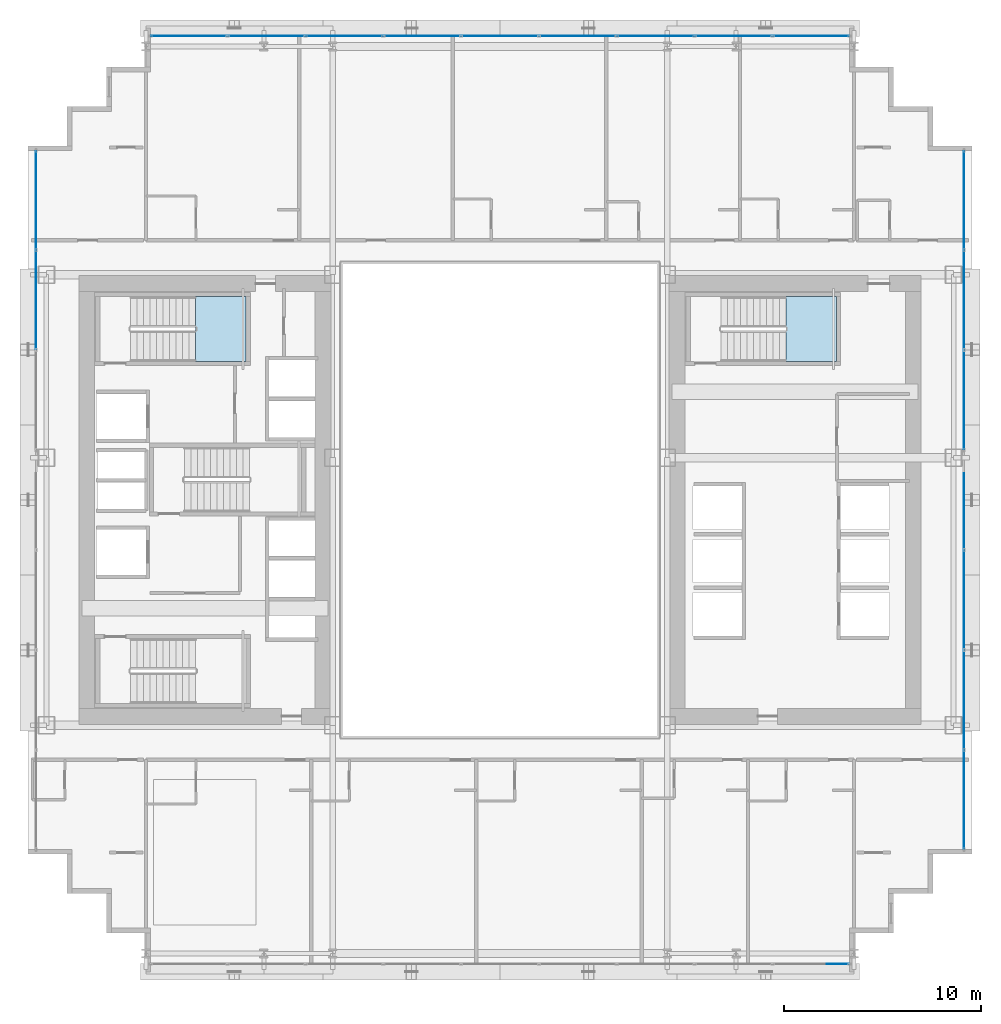
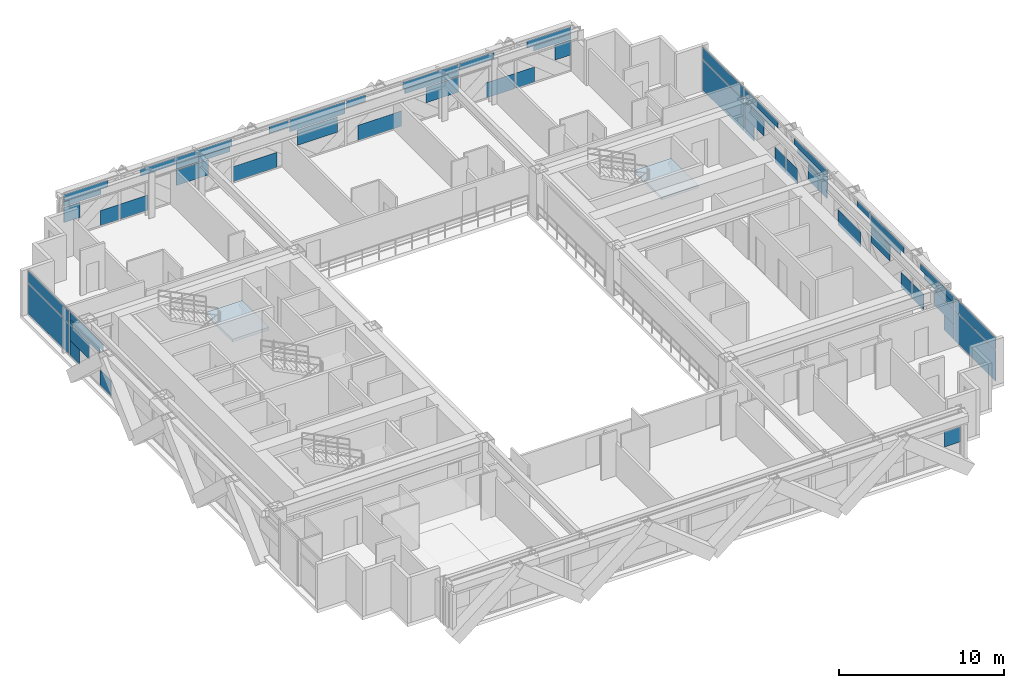
# One storey, part 24 of 35: 56 plates, 2 slabs, 6 elements without a shape of their own.
"""IFC4 building model written with IfcOpenShell, lengths in metres."""

from ifc_helpers import new_model, si_unit, direction, frame, origin, origin_2d, place, context, subcontext, project, spatial, polyline, rectangle, outline, extrude, source, transform, mapped, material, layer, layer_set, type_object, element, aggregate, save


model = new_model("IFC4")

# Units and contexts
model_context = context("Model", 3, precision=1e-05, world=origin(), true_north=direction((0.0, 1.0)))
body_context = subcontext(model_context, "Body", "Model", "MODEL_VIEW")
ifc_project = project(units=[si_unit("LENGTHUNIT", "METRE"), si_unit("AREAUNIT", "SQUARE_METRE"), si_unit("VOLUMEUNIT", "CUBIC_METRE"), si_unit("PLANEANGLEUNIT", "RADIAN"), si_unit("MASSUNIT", "GRAM", prefix="KILO")], contexts=[model_context])

# Site, building, storey
site_placement = place(None, origin())
site = spatial("IfcSite", under=ifc_project, at=site_placement, CompositionType="ELEMENT")
building_placement = place(site_placement, origin())
building = spatial("IfcBuilding", under=site, at=building_placement, Name="Ocotamira Hotel", CompositionType="ELEMENT")
storey_placement = place(building_placement, frame((0.0, 0.0, 56.39990234375)))
storey = spatial("IfcBuildingStorey", under=building, at=storey_placement, Name="L13", CompositionType="ELEMENT", Elevation=56.39990234375)

# Stair, slab
ifc_material_1 = material(Name="Concrete C40/50", Category="concrete")
stair_type = type_object("IfcStairType", Name="ST-CORE-1560", PredefinedType="HALF_TURN_STAIR", material=ifc_material_1)
stair_1_placement = place(storey_placement, origin())
stair_1 = element("IfcStair", 1, at=stair_1_placement, inside=storey, type_object=stair_type, Name="L13 Exit Stair ST-2", PredefinedType="HALF_TURN_STAIR")
ifc_layer_1 = layer(ifc_material_1, 0.199951171875)
ifc_layer_set_1 = layer_set([ifc_layer_1], Name="Concrete C40/50")
slab_type = type_object("IfcSlabType", Name="SLB-LAND-200", PredefinedType="LANDING", material=ifc_layer_set_1)
slab_1_placement = place(storey_placement, frame((0.0, 0.0, 1.60009765625)))
slab_1 = element("IfcSlab", 2, at=slab_1_placement, type_object=slab_type, Name="ST-2 landing 1", PredefinedType="LANDING", context=body_context, shape_type="SweptSolid", body=[
    extrude(outline(polyline([(16.530029296875, 33.050048828125), (19.090087890625, 33.050048828125), (19.090087890625, 36.330078125), (16.530029296875, 36.330078125), (16.530029296875, 33.050048828125)])), origin(), (0.0, 0.0, 1.0), 0.199951171875),
])
aggregate(stair_1, [slab_1])

stair_2_placement = place(storey_placement, origin())
stair_2 = element("IfcStair", 3, at=stair_2_placement, inside=storey, type_object=stair_type, Name="L13 Exit Stair ST-4", PredefinedType="HALF_TURN_STAIR")
slab_2_placement = place(storey_placement, frame((0.0, 0.0, 1.60009765625)))
slab_2 = element("IfcSlab", 4, at=slab_2_placement, type_object=slab_type, Name="ST-4 landing 1", PredefinedType="LANDING", context=body_context, shape_type="SweptSolid", body=[
    extrude(outline(polyline([(46.530029296875, 33.050048828125), (49.090087890625, 33.050048828125), (49.090087890625, 36.330078125), (46.530029296875, 36.330078125), (46.530029296875, 33.050048828125)])), origin(), (0.0, 0.0, 1.0), 0.199951171875),
])
aggregate(stair_2, [slab_2])

# Curtain wall, plate
ifc_material_2 = material(Name="Anodised pale-metal aluminium and solar glass", Category="aluminium")
ifc_layer_2 = layer(ifc_material_2, 0.179931640625)
ifc_layer_set_2 = layer_set([ifc_layer_2], Name="Anodised pale-metal aluminium and solar glass")
curtain_wall_type = type_object("IfcCurtainWallType", Name="CW-SYS2-Z1", PredefinedType="NOTDEFINED", material=ifc_layer_set_2)
curtain_wall_1_placement = place(storey_placement, origin())
curtain_wall_1 = element("IfcCurtainWall", 5, at=curtain_wall_1_placement, inside=storey, type_object=curtain_wall_type, Name="L13 Curtain Wall CW-2 CW-L13-S1", PredefinedType="NOTDEFINED")
ifc_material_3 = material(Name="Double-silver low-E insulated solar glass", Category="glass")
ifc_layer_3 = layer(ifc_material_3, 0.031982421875)
ifc_layer_set_3 = layer_set([ifc_layer_3], Name="Double-silver low-E insulated solar glass")
plate_type = type_object("IfcPlateType", Name="CWP-VISION-32", PredefinedType="CURTAIN_PANEL", material=ifc_layer_set_3)
shared_shape_1 = source(origin(), body_context, "Body", "SweptSolid", [
    extrude(rectangle(XDim=1.11669921875, YDim=0.031982421875, at=origin_2d()), origin(), (0.0, 0.0, 1.0), 1.11865234375),
])
plate_1_placement = place(storey_placement, frame((49.16162109375, 2.419921875, 1.19384765625), z_axis=(0.0, 0.0, 1.0), x_axis=(1.0, 0.0, 0.0)))
plate_1 = element("IfcPlate", 6, at=plate_1_placement, type_object=plate_type, Name="CW-2 panel 9.1.2", PredefinedType="CURTAIN_PANEL", context=body_context, shape_type="MappedRepresentation", body=[
    mapped(shared_shape_1, transform((0.0, 0.0, 0.0), scale=1.0)),
])
aggregate(curtain_wall_1, [plate_1])

# Curtain wall, plates
curtain_wall_2_placement = place(storey_placement, origin())
curtain_wall_2 = element("IfcCurtainWall", 7, at=curtain_wall_2_placement, inside=storey, type_object=curtain_wall_type, Name="L13 Curtain Wall CW-2 CW-L13-N", PredefinedType="NOTDEFINED")
plate_2_placement = place(storey_placement, frame((14.83837890625, 49.580078125, 1.19384765625), z_axis=(0.0, 0.0, 1.0), x_axis=(1.0, 0.0, 0.0)))
plate_2 = element("IfcPlate", 8, at=plate_2_placement, type_object=plate_type, Name="CW-2 panel 1.1.1", PredefinedType="CURTAIN_PANEL", context=body_context, shape_type="MappedRepresentation", body=[
    mapped(shared_shape_1, transform((0.0, 0.0, 0.0), scale=1.0)),
])
plate_3_placement = place(storey_placement, frame((49.16162109375, 49.580078125, 1.19384765625), z_axis=(0.0, 0.0, 1.0), x_axis=(1.0, 0.0, 0.0)))
plate_3 = element("IfcPlate", 9, at=plate_3_placement, type_object=plate_type, Name="CW-2 panel 9.1.2", PredefinedType="CURTAIN_PANEL", context=body_context, shape_type="MappedRepresentation", body=[
    mapped(shared_shape_1, transform((0.0, 0.0, 0.0), scale=1.0)),
])
shared_shape_2 = source(origin(), body_context, "Body", "SweptSolid", [
    extrude(rectangle(XDim=1.278076171875, YDim=0.031982421875, at=origin_2d()), origin(), (0.0, 0.0, 1.0), 1.11865234375),
])
plate_4_placement = place(storey_placement, frame((17.4765625, 49.580078125, 0.0751953125), z_axis=(0.0, 0.0, 1.0), x_axis=(1.0, 0.0, 0.0)))
plate_4 = element("IfcPlate", 10, at=plate_4_placement, type_object=plate_type, Name="CW-2 panel 1.1.2", PredefinedType="CURTAIN_PANEL", context=body_context, shape_type="MappedRepresentation", body=[
    mapped(shared_shape_2, transform((0.0, 0.0, 0.0), scale=1.0)),
])
plate_5_placement = place(storey_placement, frame((46.5234375, 49.580078125, 0.0751953125), z_axis=(0.0, 0.0, 1.0), x_axis=(1.0, 0.0, 0.0)))
plate_5 = element("IfcPlate", 11, at=plate_5_placement, type_object=plate_type, Name="CW-2 panel 9.1.1", PredefinedType="CURTAIN_PANEL", context=body_context, shape_type="MappedRepresentation", body=[
    mapped(shared_shape_2, transform((0.0, 0.0, 0.0), scale=1.0)),
])
shared_shape_3 = source(origin(), body_context, "Body", "SweptSolid", [
    extrude(rectangle(XDim=2.60888671875, YDim=0.031982421875, at=origin_2d()), origin(), (0.0, 0.0, 1.0), 0.345458984375),
])
plate_6_placement = place(storey_placement, frame((15.58447265625, 49.580078125, 2.3876953125), z_axis=(0.0, 0.0, 1.0), x_axis=(1.0, 0.0, 0.0)))
plate_6 = element("IfcPlate", 12, at=plate_6_placement, type_object=plate_type, Name="CW-2 panel 1.2.1", PredefinedType="CURTAIN_PANEL", context=body_context, shape_type="MappedRepresentation", body=[
    mapped(shared_shape_3, transform((0.0, 0.0, 0.0), scale=1.0)),
])
plate_7_placement = place(storey_placement, frame((48.41552734375, 49.580078125, 2.3876953125), z_axis=(0.0, 0.0, 1.0), x_axis=(1.0, 0.0, 0.0)))
plate_7 = element("IfcPlate", 13, at=plate_7_placement, type_object=plate_type, Name="CW-2 panel 9.2.2", PredefinedType="CURTAIN_PANEL", context=body_context, shape_type="MappedRepresentation", body=[
    mapped(shared_shape_3, transform((0.0, 0.0, 0.0), scale=1.0)),
])
shared_shape_4 = source(origin(), body_context, "Body", "SweptSolid", [
    extrude(rectangle(XDim=3.079833984375, YDim=0.031982421875, at=origin_2d()), origin(), (0.0, 0.0, 1.0), 0.5107421875),
])
plate_8_placement = place(storey_placement, frame((15.820068359375, 49.580078125, 2.764404296875), z_axis=(0.0, 0.0, 1.0), x_axis=(1.0, 0.0, 0.0)))
plate_8 = element("IfcPlate", 14, at=plate_8_placement, type_object=plate_type, Name="CW-2 panel 1.2.2", PredefinedType="CURTAIN_PANEL", context=body_context, shape_type="MappedRepresentation", body=[
    mapped(shared_shape_4, transform((0.0, 0.0, 0.0), scale=1.0)),
])
plate_9_placement = place(storey_placement, frame((48.179931640625, 49.580078125, 2.764404296875), z_axis=(0.0, 0.0, 1.0), x_axis=(1.0, 0.0, 0.0)))
plate_9 = element("IfcPlate", 15, at=plate_9_placement, type_object=plate_type, Name="CW-2 panel 9.2.1", PredefinedType="CURTAIN_PANEL", context=body_context, shape_type="MappedRepresentation", body=[
    mapped(shared_shape_4, transform((0.0, 0.0, 0.0), scale=1.0)),
])
shared_shape_5 = source(origin(), body_context, "Body", "SweptSolid", [
    extrude(rectangle(XDim=1.966796875, YDim=0.031982421875, at=origin_2d()), origin(), (0.0, 0.0, 1.0), 1.11865234375),
])
plate_10_placement = place(storey_placement, frame((19.178955078125, 49.580078125, 0.0751953125), z_axis=(0.0, 0.0, 1.0), x_axis=(1.0, 0.0, 0.0)))
plate_10 = element("IfcPlate", 16, at=plate_10_placement, type_object=plate_type, Name="CW-2 panel 2.1.1", PredefinedType="CURTAIN_PANEL", context=body_context, shape_type="MappedRepresentation", body=[
    mapped(shared_shape_5, transform((0.0, 0.0, 0.0), scale=1.0)),
])
plate_11_placement = place(storey_placement, frame((44.821044921875, 49.580078125, 0.0751953125), z_axis=(0.0, 0.0, 1.0), x_axis=(1.0, 0.0, 0.0)))
plate_11 = element("IfcPlate", 17, at=plate_11_placement, type_object=plate_type, Name="CW-2 panel 8.1.1", PredefinedType="CURTAIN_PANEL", context=body_context, shape_type="MappedRepresentation", body=[
    mapped(shared_shape_5, transform((0.0, 0.0, 0.0), scale=1.0)),
])
shared_shape_6 = source(origin(), body_context, "Body", "SweptSolid", [
    extrude(rectangle(XDim=2.430908203125, YDim=0.031982421875, at=origin_2d()), origin(), (0.0, 0.0, 1.0), 0.5107421875),
])
plate_12_placement = place(storey_placement, frame((20.855712890625, 49.580078125, 2.764404296875), z_axis=(0.0, 0.0, 1.0), x_axis=(1.0, 0.0, 0.0)))
plate_12 = element("IfcPlate", 18, at=plate_12_placement, type_object=plate_type, Name="CW-2 panel 2.2.1", PredefinedType="CURTAIN_PANEL", context=body_context, shape_type="MappedRepresentation", body=[
    mapped(shared_shape_6, transform((0.0, 0.0, 0.0), scale=1.0)),
])
plate_13_placement = place(storey_placement, frame((43.144287109375, 49.580078125, 2.764404296875), z_axis=(0.0, 0.0, 1.0), x_axis=(1.0, 0.0, 0.0)))
plate_13 = element("IfcPlate", 19, at=plate_13_placement, type_object=plate_type, Name="CW-2 panel 8.2.1", PredefinedType="CURTAIN_PANEL", context=body_context, shape_type="MappedRepresentation", body=[
    mapped(shared_shape_6, transform((0.0, 0.0, 0.0), scale=1.0)),
])
shared_shape_7 = source(origin(), body_context, "Body", "SweptSolid", [
    extrude(rectangle(XDim=2.24560546875, YDim=0.031982421875, at=origin_2d()), origin(), (0.0, 0.0, 1.0), 1.11865234375),
])
plate_14_placement = place(storey_placement, frame((23.27392578125, 49.580078125, 1.19384765625), z_axis=(0.0, 0.0, 1.0), x_axis=(1.0, 0.0, 0.0)))
plate_14 = element("IfcPlate", 20, at=plate_14_placement, type_object=plate_type, Name="CW-2 panel 3.1.1", PredefinedType="CURTAIN_PANEL", context=body_context, shape_type="MappedRepresentation", body=[
    mapped(shared_shape_7, transform((0.0, 0.0, 0.0), scale=1.0)),
])
plate_15_placement = place(storey_placement, frame((40.72607421875, 49.580078125, 1.19384765625), z_axis=(0.0, 0.0, 1.0), x_axis=(1.0, 0.0, 0.0)))
plate_15 = element("IfcPlate", 21, at=plate_15_placement, type_object=plate_type, Name="CW-2 panel 7.1.1", PredefinedType="CURTAIN_PANEL", context=body_context, shape_type="MappedRepresentation", body=[
    mapped(shared_shape_7, transform((0.0, 0.0, 0.0), scale=1.0)),
])
shared_shape_8 = source(origin(), body_context, "Body", "SweptSolid", [
    extrude(rectangle(XDim=3.73779296875, YDim=0.031982421875, at=origin_2d()), origin(), (0.0, 0.0, 1.0), 0.376708984375),
])
plate_16_placement = place(storey_placement, frame((24.02001953125, 49.580078125, 2.3876953125), z_axis=(0.0, 0.0, 1.0), x_axis=(1.0, 0.0, 0.0)))
plate_16 = element("IfcPlate", 22, at=plate_16_placement, type_object=plate_type, Name="CW-2 panel 3.2.1", PredefinedType="CURTAIN_PANEL", context=body_context, shape_type="MappedRepresentation", body=[
    mapped(shared_shape_8, transform((0.0, 0.0, 0.0), scale=1.0)),
])
plate_17_placement = place(storey_placement, frame((39.97998046875, 49.580078125, 2.3876953125), z_axis=(0.0, 0.0, 1.0), x_axis=(1.0, 0.0, 0.0)))
plate_17 = element("IfcPlate", 23, at=plate_17_placement, type_object=plate_type, Name="CW-2 panel 7.2.2", PredefinedType="CURTAIN_PANEL", context=body_context, shape_type="MappedRepresentation", body=[
    mapped(shared_shape_8, transform((0.0, 0.0, 0.0), scale=1.0)),
])
shared_shape_9 = source(origin(), body_context, "Body", "SweptSolid", [
    extrude(rectangle(XDim=3.87548828125, YDim=0.031982421875, at=origin_2d()), origin(), (0.0, 0.0, 1.0), 0.5107421875),
])
plate_18_placement = place(storey_placement, frame((24.0888671875, 49.580078125, 2.764404296875), z_axis=(0.0, 0.0, 1.0), x_axis=(1.0, 0.0, 0.0)))
plate_18 = element("IfcPlate", 24, at=plate_18_placement, type_object=plate_type, Name="CW-2 panel 3.2.2", PredefinedType="CURTAIN_PANEL", context=body_context, shape_type="MappedRepresentation", body=[
    mapped(shared_shape_9, transform((0.0, 0.0, 0.0), scale=1.0)),
])
plate_19_placement = place(storey_placement, frame((39.9111328125, 49.580078125, 2.764404296875), z_axis=(0.0, 0.0, 1.0), x_axis=(1.0, 0.0, 0.0)))
plate_19 = element("IfcPlate", 25, at=plate_19_placement, type_object=plate_type, Name="CW-2 panel 7.2.1", PredefinedType="CURTAIN_PANEL", context=body_context, shape_type="MappedRepresentation", body=[
    mapped(shared_shape_9, transform((0.0, 0.0, 0.0), scale=1.0)),
])
shared_shape_10 = source(origin(), body_context, "Body", "SweptSolid", [
    extrude(rectangle(XDim=3.055908203125, YDim=0.031982421875, at=origin_2d()), origin(), (0.0, 0.0, 1.0), 1.11865234375),
])
plate_20_placement = place(storey_placement, frame((27.634521484375, 49.580078125, 0.0751953125), z_axis=(0.0, 0.0, 1.0), x_axis=(1.0, 0.0, 0.0)))
plate_20 = element("IfcPlate", 26, at=plate_20_placement, type_object=plate_type, Name="CW-2 panel 4.1.1", PredefinedType="CURTAIN_PANEL", context=body_context, shape_type="MappedRepresentation", body=[
    mapped(shared_shape_10, transform((0.0, 0.0, 0.0), scale=1.0)),
])
plate_21_placement = place(storey_placement, frame((36.365478515625, 49.580078125, 0.0751953125), z_axis=(0.0, 0.0, 1.0), x_axis=(1.0, 0.0, 0.0)))
plate_21 = element("IfcPlate", 27, at=plate_21_placement, type_object=plate_type, Name="CW-2 panel 6.1.1", PredefinedType="CURTAIN_PANEL", context=body_context, shape_type="MappedRepresentation", body=[
    mapped(shared_shape_10, transform((0.0, 0.0, 0.0), scale=1.0)),
])
shared_shape_11 = source(origin(), body_context, "Body", "SweptSolid", [
    extrude(rectangle(XDim=1.34228515625, YDim=0.031982421875, at=origin_2d()), origin(), (0.0, 0.0, 1.0), 0.5107421875),
])
plate_22_placement = place(storey_placement, frame((29.31103515625, 49.580078125, 2.764404296875), z_axis=(0.0, 0.0, 1.0), x_axis=(1.0, 0.0, 0.0)))
plate_22 = element("IfcPlate", 28, at=plate_22_placement, type_object=plate_type, Name="CW-2 panel 4.2.1", PredefinedType="CURTAIN_PANEL", context=body_context, shape_type="MappedRepresentation", body=[
    mapped(shared_shape_11, transform((0.0, 0.0, 0.0), scale=1.0)),
])
plate_23_placement = place(storey_placement, frame((34.68896484375, 49.580078125, 2.764404296875), z_axis=(0.0, 0.0, 1.0), x_axis=(1.0, 0.0, 0.0)))
plate_23 = element("IfcPlate", 29, at=plate_23_placement, type_object=plate_type, Name="CW-2 panel 6.2.1", PredefinedType="CURTAIN_PANEL", context=body_context, shape_type="MappedRepresentation", body=[
    mapped(shared_shape_11, transform((0.0, 0.0, 0.0), scale=1.0)),
])
shared_shape_12 = source(origin(), body_context, "Body", "SweptSolid", [
    extrude(rectangle(XDim=2.793701171875, YDim=0.031982421875, at=origin_2d()), origin(), (0.0, 0.0, 1.0), 1.11865234375),
])
plate_24_placement = place(storey_placement, frame((32.0, 49.580078125, 1.19384765625), z_axis=(0.0, 0.0, 1.0), x_axis=(1.0, 0.0, 0.0)))
plate_24 = element("IfcPlate", 30, at=plate_24_placement, type_object=plate_type, Name="CW-2 panel 5.1.1", PredefinedType="CURTAIN_PANEL", context=body_context, shape_type="MappedRepresentation", body=[
    mapped(shared_shape_12, transform((0.0, 0.0, 0.0), scale=1.0)),
])
shared_shape_13 = source(origin(), body_context, "Body", "SweptSolid", [
    extrude(rectangle(XDim=3.87548828125, YDim=0.031982421875, at=origin_2d()), origin(), (0.0, 0.0, 1.0), 0.887451171875),
])
plate_25_placement = place(storey_placement, frame((32.0, 49.580078125, 2.3876953125), z_axis=(0.0, 0.0, 1.0), x_axis=(1.0, 0.0, 0.0)))
plate_25 = element("IfcPlate", 31, at=plate_25_placement, type_object=plate_type, Name="CW-2 panel 5.2", PredefinedType="CURTAIN_PANEL", context=body_context, shape_type="MappedRepresentation", body=[
    mapped(shared_shape_13, transform((0.0, 0.0, 0.0), scale=1.0)),
])
aggregate(curtain_wall_2, [plate_2, plate_4, plate_6, plate_8, plate_10, plate_12, plate_14, plate_16, plate_18, plate_20, plate_22, plate_24, plate_25, plate_21, plate_23, plate_15, plate_19, plate_17, plate_11, plate_13, plate_5, plate_3, plate_9, plate_7])

# Curtain wall, plate
curtain_wall_3_placement = place(storey_placement, origin())
curtain_wall_3 = element("IfcCurtainWall", 32, at=curtain_wall_3_placement, inside=storey, type_object=curtain_wall_type, Name="L13 Curtain Wall CW-2 CW-L13-W", PredefinedType="NOTDEFINED")
shared_shape_14 = source(origin(), body_context, "Body", "SweptSolid", [
    extrude(rectangle(XDim=4.9658203125, YDim=0.031982421875, at=origin_2d()), origin(), (0.0, 0.0, 1.0), 2.237548828125),
])
plate_26_placement = place(storey_placement, frame((8.419921875, 41.237060546875, 0.0751953125), z_axis=(0.0, 0.0, 1.0), x_axis=(0.0, 1.0, 0.0)))
plate_26 = element("IfcPlate", 33, at=plate_26_placement, type_object=plate_type, Name="CW-2 panel 7.1", PredefinedType="CURTAIN_PANEL", context=body_context, shape_type="MappedRepresentation", body=[
    mapped(shared_shape_14, transform((0.0, 0.0, 0.0), scale=1.0)),
])

# Curtain wall, plates
curtain_wall_4_placement = place(storey_placement, origin())
curtain_wall_4 = element("IfcCurtainWall", 34, at=curtain_wall_4_placement, inside=storey, type_object=curtain_wall_type, Name="L13 Curtain Wall CW-2 CW-L13-E", PredefinedType="NOTDEFINED")
plate_27_placement = place(storey_placement, frame((55.580078125, 10.762939453125, 0.0751953125), z_axis=(0.0, 0.0, 1.0), x_axis=(0.0, 1.0, 0.0)))
plate_27 = element("IfcPlate", 35, at=plate_27_placement, type_object=plate_type, Name="CW-2 panel 1.1", PredefinedType="CURTAIN_PANEL", context=body_context, shape_type="MappedRepresentation", body=[
    mapped(shared_shape_14, transform((0.0, 0.0, 0.0), scale=1.0)),
])
plate_28_placement = place(storey_placement, frame((55.580078125, 41.237060546875, 0.0751953125), z_axis=(0.0, 0.0, 1.0), x_axis=(0.0, 1.0, 0.0)))
plate_28 = element("IfcPlate", 36, at=plate_28_placement, type_object=plate_type, Name="CW-2 panel 7.1", PredefinedType="CURTAIN_PANEL", context=body_context, shape_type="MappedRepresentation", body=[
    mapped(shared_shape_14, transform((0.0, 0.0, 0.0), scale=1.0)),
])

# Plate
shared_shape_15 = source(origin(), body_context, "Body", "SweptSolid", [
    extrude(rectangle(XDim=4.9658203125, YDim=0.031982421875, at=origin_2d()), origin(), (0.0, 0.0, 1.0), 0.887451171875),
])
plate_29_placement = place(storey_placement, frame((8.419921875, 41.237060546875, 2.3876953125), z_axis=(0.0, 0.0, 1.0), x_axis=(0.0, 1.0, 0.0)))
plate_29 = element("IfcPlate", 37, at=plate_29_placement, type_object=plate_type, Name="CW-2 panel 7.2", PredefinedType="CURTAIN_PANEL", context=body_context, shape_type="MappedRepresentation", body=[
    mapped(shared_shape_15, transform((0.0, 0.0, 0.0), scale=1.0)),
])

plate_30_placement = place(storey_placement, frame((55.580078125, 10.762939453125, 2.3876953125), z_axis=(0.0, 0.0, 1.0), x_axis=(0.0, 1.0, 0.0)))
plate_30 = element("IfcPlate", 38, at=plate_30_placement, type_object=plate_type, Name="CW-2 panel 1.2", PredefinedType="CURTAIN_PANEL", context=body_context, shape_type="MappedRepresentation", body=[
    mapped(shared_shape_15, transform((0.0, 0.0, 0.0), scale=1.0)),
])

plate_31_placement = place(storey_placement, frame((55.580078125, 41.237060546875, 2.3876953125), z_axis=(0.0, 0.0, 1.0), x_axis=(0.0, 1.0, 0.0)))
plate_31 = element("IfcPlate", 39, at=plate_31_placement, type_object=plate_type, Name="CW-2 panel 7.2", PredefinedType="CURTAIN_PANEL", context=body_context, shape_type="MappedRepresentation", body=[
    mapped(shared_shape_15, transform((0.0, 0.0, 0.0), scale=1.0)),
])

shared_shape_16 = source(origin(), body_context, "Body", "SweptSolid", [
    extrude(rectangle(XDim=1.177978515625, YDim=0.031982421875, at=origin_2d()), origin(), (0.0, 0.0, 1.0), 1.11865234375),
])
plate_32_placement = place(storey_placement, frame((8.419921875, 38.085205078125, 0.0751953125), z_axis=(0.0, 0.0, 1.0), x_axis=(0.0, 1.0, 0.0)))
plate_32 = element("IfcPlate", 40, at=plate_32_placement, type_object=plate_type, Name="CW-2 panel 6.1.3", PredefinedType="CURTAIN_PANEL", context=body_context, shape_type="MappedRepresentation", body=[
    mapped(shared_shape_16, transform((0.0, 0.0, 0.0), scale=1.0)),
])

plate_33_placement = place(storey_placement, frame((55.580078125, 13.914794921875, 0.0751953125), z_axis=(0.0, 0.0, 1.0), x_axis=(0.0, 1.0, 0.0)))
plate_33 = element("IfcPlate", 41, at=plate_33_placement, type_object=plate_type, Name="CW-2 panel 2.1.1", PredefinedType="CURTAIN_PANEL", context=body_context, shape_type="MappedRepresentation", body=[
    mapped(shared_shape_16, transform((0.0, 0.0, 0.0), scale=1.0)),
])

plate_34_placement = place(storey_placement, frame((55.580078125, 38.085205078125, 0.0751953125), z_axis=(0.0, 0.0, 1.0), x_axis=(0.0, 1.0, 0.0)))
plate_34 = element("IfcPlate", 42, at=plate_34_placement, type_object=plate_type, Name="CW-2 panel 6.1.3", PredefinedType="CURTAIN_PANEL", context=body_context, shape_type="MappedRepresentation", body=[
    mapped(shared_shape_16, transform((0.0, 0.0, 0.0), scale=1.0)),
])

shared_shape_17 = source(origin(), body_context, "Body", "SweptSolid", [
    extrude(rectangle(XDim=2.364013671875, YDim=0.031982421875, at=origin_2d()), origin(), (0.0, 0.0, 1.0), 1.11865234375),
])
plate_35_placement = place(storey_placement, frame((8.419921875, 37.4921875, 1.19384765625), z_axis=(0.0, 0.0, 1.0), x_axis=(0.0, 1.0, 0.0)))
plate_35 = element("IfcPlate", 43, at=plate_35_placement, type_object=plate_type, Name="CW-2 panel 6.1.2", PredefinedType="CURTAIN_PANEL", context=body_context, shape_type="MappedRepresentation", body=[
    mapped(shared_shape_17, transform((0.0, 0.0, 0.0), scale=1.0)),
])

plate_36_placement = place(storey_placement, frame((55.580078125, 14.5078125, 1.19384765625), z_axis=(0.0, 0.0, 1.0), x_axis=(0.0, 1.0, 0.0)))
plate_36 = element("IfcPlate", 44, at=plate_36_placement, type_object=plate_type, Name="CW-2 panel 2.1.2", PredefinedType="CURTAIN_PANEL", context=body_context, shape_type="MappedRepresentation", body=[
    mapped(shared_shape_17, transform((0.0, 0.0, 0.0), scale=1.0)),
])

plate_37_placement = place(storey_placement, frame((55.580078125, 37.4921875, 1.19384765625), z_axis=(0.0, 0.0, 1.0), x_axis=(0.0, 1.0, 0.0)))
plate_37 = element("IfcPlate", 45, at=plate_37_placement, type_object=plate_type, Name="CW-2 panel 6.1.2", PredefinedType="CURTAIN_PANEL", context=body_context, shape_type="MappedRepresentation", body=[
    mapped(shared_shape_17, transform((0.0, 0.0, 0.0), scale=1.0)),
])

shared_shape_18 = source(origin(), body_context, "Body", "SweptSolid", [
    extrude(rectangle(XDim=1.330078125, YDim=0.031982421875, at=origin_2d()), origin(), (0.0, 0.0, 1.0), 1.11865234375),
])
plate_38_placement = place(storey_placement, frame((8.419921875, 34.33349609375, 0.0751953125), z_axis=(0.0, 0.0, 1.0), x_axis=(0.0, 1.0, 0.0)))
plate_38 = element("IfcPlate", 46, at=plate_38_placement, type_object=plate_type, Name="CW-2 panel 6.1.1", PredefinedType="CURTAIN_PANEL", context=body_context, shape_type="MappedRepresentation", body=[
    mapped(shared_shape_18, transform((0.0, 0.0, 0.0), scale=1.0)),
])

plate_39_placement = place(storey_placement, frame((55.580078125, 17.66650390625, 0.0751953125), z_axis=(0.0, 0.0, 1.0), x_axis=(0.0, 1.0, 0.0)))
plate_39 = element("IfcPlate", 47, at=plate_39_placement, type_object=plate_type, Name="CW-2 panel 2.1.3", PredefinedType="CURTAIN_PANEL", context=body_context, shape_type="MappedRepresentation", body=[
    mapped(shared_shape_18, transform((0.0, 0.0, 0.0), scale=1.0)),
])

plate_40_placement = place(storey_placement, frame((55.580078125, 34.33349609375, 0.0751953125), z_axis=(0.0, 0.0, 1.0), x_axis=(0.0, 1.0, 0.0)))
plate_40 = element("IfcPlate", 48, at=plate_40_placement, type_object=plate_type, Name="CW-2 panel 6.1.1", PredefinedType="CURTAIN_PANEL", context=body_context, shape_type="MappedRepresentation", body=[
    mapped(shared_shape_18, transform((0.0, 0.0, 0.0), scale=1.0)),
])

shared_shape_19 = source(origin(), body_context, "Body", "SweptSolid", [
    extrude(rectangle(XDim=3.629638671875, YDim=0.031982421875, at=origin_2d()), origin(), (0.0, 0.0, 1.0), 0.367919921875),
])
plate_41_placement = place(storey_placement, frame((8.419921875, 36.859375, 2.3876953125), z_axis=(0.0, 0.0, 1.0), x_axis=(0.0, 1.0, 0.0)))
plate_41 = element("IfcPlate", 49, at=plate_41_placement, type_object=plate_type, Name="CW-2 panel 6.2.2", PredefinedType="CURTAIN_PANEL", context=body_context, shape_type="MappedRepresentation", body=[
    mapped(shared_shape_19, transform((0.0, 0.0, 0.0), scale=1.0)),
])

plate_42_placement = place(storey_placement, frame((55.580078125, 15.140625, 2.3876953125), z_axis=(0.0, 0.0, 1.0), x_axis=(0.0, 1.0, 0.0)))
plate_42 = element("IfcPlate", 50, at=plate_42_placement, type_object=plate_type, Name="CW-2 panel 2.2.1", PredefinedType="CURTAIN_PANEL", context=body_context, shape_type="MappedRepresentation", body=[
    mapped(shared_shape_19, transform((0.0, 0.0, 0.0), scale=1.0)),
])

plate_43_placement = place(storey_placement, frame((55.580078125, 36.859375, 2.3876953125), z_axis=(0.0, 0.0, 1.0), x_axis=(0.0, 1.0, 0.0)))
plate_43 = element("IfcPlate", 51, at=plate_43_placement, type_object=plate_type, Name="CW-2 panel 6.2.2", PredefinedType="CURTAIN_PANEL", context=body_context, shape_type="MappedRepresentation", body=[
    mapped(shared_shape_19, transform((0.0, 0.0, 0.0), scale=1.0)),
])

shared_shape_20 = source(origin(), body_context, "Body", "SweptSolid", [
    extrude(rectangle(XDim=4.05615234375, YDim=0.031982421875, at=origin_2d()), origin(), (0.0, 0.0, 1.0), 0.485107421875),
])
plate_44_placement = place(storey_placement, frame((8.419921875, 36.646240234375, 2.7900390625), z_axis=(0.0, 0.0, 1.0), x_axis=(0.0, 1.0, 0.0)))
plate_44 = element("IfcPlate", 52, at=plate_44_placement, type_object=plate_type, Name="CW-2 panel 6.2.1", PredefinedType="CURTAIN_PANEL", context=body_context, shape_type="MappedRepresentation", body=[
    mapped(shared_shape_20, transform((0.0, 0.0, 0.0), scale=1.0)),
])

aggregate(curtain_wall_3, [plate_38, plate_35, plate_32, plate_44, plate_41, plate_26, plate_29])

plate_45_placement = place(storey_placement, frame((55.580078125, 15.353759765625, 2.7900390625), z_axis=(0.0, 0.0, 1.0), x_axis=(0.0, 1.0, 0.0)))
plate_45 = element("IfcPlate", 53, at=plate_45_placement, type_object=plate_type, Name="CW-2 panel 2.2.2", PredefinedType="CURTAIN_PANEL", context=body_context, shape_type="MappedRepresentation", body=[
    mapped(shared_shape_20, transform((0.0, 0.0, 0.0), scale=1.0)),
])

plate_46_placement = place(storey_placement, frame((55.580078125, 36.646240234375, 2.7900390625), z_axis=(0.0, 0.0, 1.0), x_axis=(0.0, 1.0, 0.0)))
plate_46 = element("IfcPlate", 54, at=plate_46_placement, type_object=plate_type, Name="CW-2 panel 6.2.1", PredefinedType="CURTAIN_PANEL", context=body_context, shape_type="MappedRepresentation", body=[
    mapped(shared_shape_20, transform((0.0, 0.0, 0.0), scale=1.0)),
])

shared_shape_21 = source(origin(), body_context, "Body", "SweptSolid", [
    extrude(rectangle(XDim=1.3203125, YDim=0.031982421875, at=origin_2d()), origin(), (0.0, 0.0, 1.0), 1.11865234375),
])
plate_47_placement = place(storey_placement, frame((55.580078125, 19.071533203125, 0.0751953125), z_axis=(0.0, 0.0, 1.0), x_axis=(0.0, 1.0, 0.0)))
plate_47 = element("IfcPlate", 55, at=plate_47_placement, type_object=plate_type, Name="CW-2 panel 3.1.1", PredefinedType="CURTAIN_PANEL", context=body_context, shape_type="MappedRepresentation", body=[
    mapped(shared_shape_21, transform((0.0, 0.0, 0.0), scale=1.0)),
])

plate_48_placement = place(storey_placement, frame((55.580078125, 32.928466796875, 0.0751953125), z_axis=(0.0, 0.0, 1.0), x_axis=(0.0, 1.0, 0.0)))
plate_48 = element("IfcPlate", 56, at=plate_48_placement, type_object=plate_type, Name="CW-2 panel 5.1.2", PredefinedType="CURTAIN_PANEL", context=body_context, shape_type="MappedRepresentation", body=[
    mapped(shared_shape_21, transform((0.0, 0.0, 0.0), scale=1.0)),
])

shared_shape_22 = source(origin(), body_context, "Body", "SweptSolid", [
    extrude(rectangle(XDim=2.27978515625, YDim=0.031982421875, at=origin_2d()), origin(), (0.0, 0.0, 1.0), 1.11865234375),
])
plate_49_placement = place(storey_placement, frame((55.580078125, 22.183349609375, 1.19384765625), z_axis=(0.0, 0.0, 1.0), x_axis=(0.0, 1.0, 0.0)))
plate_49 = element("IfcPlate", 57, at=plate_49_placement, type_object=plate_type, Name="CW-2 panel 3.1.2", PredefinedType="CURTAIN_PANEL", context=body_context, shape_type="MappedRepresentation", body=[
    mapped(shared_shape_22, transform((0.0, 0.0, 0.0), scale=1.0)),
])

plate_50_placement = place(storey_placement, frame((55.580078125, 29.816650390625, 1.19384765625), z_axis=(0.0, 0.0, 1.0), x_axis=(0.0, 1.0, 0.0)))
plate_50 = element("IfcPlate", 58, at=plate_50_placement, type_object=plate_type, Name="CW-2 panel 5.1.1", PredefinedType="CURTAIN_PANEL", context=body_context, shape_type="MappedRepresentation", body=[
    mapped(shared_shape_22, transform((0.0, 0.0, 0.0), scale=1.0)),
])

shared_shape_23 = source(origin(), body_context, "Body", "SweptSolid", [
    extrude(rectangle(XDim=4.06591796875, YDim=0.031982421875, at=origin_2d()), origin(), (0.0, 0.0, 1.0), 0.485107421875),
])
plate_51_placement = place(storey_placement, frame((55.580078125, 21.38427734375, 2.7900390625), z_axis=(0.0, 0.0, 1.0), x_axis=(0.0, 1.0, 0.0)))
plate_51 = element("IfcPlate", 59, at=plate_51_placement, type_object=plate_type, Name="CW-2 panel 3.2.1", PredefinedType="CURTAIN_PANEL", context=body_context, shape_type="MappedRepresentation", body=[
    mapped(shared_shape_23, transform((0.0, 0.0, 0.0), scale=1.0)),
])

plate_52_placement = place(storey_placement, frame((55.580078125, 30.61572265625, 2.7900390625), z_axis=(0.0, 0.0, 1.0), x_axis=(0.0, 1.0, 0.0)))
plate_52 = element("IfcPlate", 60, at=plate_52_placement, type_object=plate_type, Name="CW-2 panel 5.2.2", PredefinedType="CURTAIN_PANEL", context=body_context, shape_type="MappedRepresentation", body=[
    mapped(shared_shape_23, transform((0.0, 0.0, 0.0), scale=1.0)),
])

shared_shape_24 = source(origin(), body_context, "Body", "SweptSolid", [
    extrude(rectangle(XDim=3.639404296875, YDim=0.031982421875, at=origin_2d()), origin(), (0.0, 0.0, 1.0), 0.367919921875),
])
plate_53_placement = place(storey_placement, frame((55.580078125, 21.597412109375, 2.3876953125), z_axis=(0.0, 0.0, 1.0), x_axis=(0.0, 1.0, 0.0)))
plate_53 = element("IfcPlate", 61, at=plate_53_placement, type_object=plate_type, Name="CW-2 panel 3.2.2", PredefinedType="CURTAIN_PANEL", context=body_context, shape_type="MappedRepresentation", body=[
    mapped(shared_shape_24, transform((0.0, 0.0, 0.0), scale=1.0)),
])

plate_54_placement = place(storey_placement, frame((55.580078125, 30.402587890625, 2.3876953125), z_axis=(0.0, 0.0, 1.0), x_axis=(0.0, 1.0, 0.0)))
plate_54 = element("IfcPlate", 62, at=plate_54_placement, type_object=plate_type, Name="CW-2 panel 5.2.1", PredefinedType="CURTAIN_PANEL", context=body_context, shape_type="MappedRepresentation", body=[
    mapped(shared_shape_24, transform((0.0, 0.0, 0.0), scale=1.0)),
])

shared_shape_25 = source(origin(), body_context, "Body", "SweptSolid", [
    extrude(rectangle(XDim=2.730224609375, YDim=0.031982421875, at=origin_2d()), origin(), (0.0, 0.0, 1.0), 1.11865234375),
])
plate_55_placement = place(storey_placement, frame((55.580078125, 26.0, 0.0751953125), z_axis=(0.0, 0.0, 1.0), x_axis=(0.0, 1.0, 0.0)))
plate_55 = element("IfcPlate", 63, at=plate_55_placement, type_object=plate_type, Name="CW-2 panel 4.1.1", PredefinedType="CURTAIN_PANEL", context=body_context, shape_type="MappedRepresentation", body=[
    mapped(shared_shape_25, transform((0.0, 0.0, 0.0), scale=1.0)),
])

shared_shape_26 = source(origin(), body_context, "Body", "SweptSolid", [
    extrude(rectangle(XDim=1.518310546875, YDim=0.031982421875, at=origin_2d()), origin(), (0.0, 0.0, 1.0), 0.485107421875),
])
plate_56_placement = place(storey_placement, frame((55.580078125, 24.256103515625, 2.7900390625), z_axis=(0.0, 0.0, 1.0), x_axis=(0.0, 1.0, 0.0)))
plate_56 = element("IfcPlate", 64, at=plate_56_placement, type_object=plate_type, Name="CW-2 panel 4.2.1", PredefinedType="CURTAIN_PANEL", context=body_context, shape_type="MappedRepresentation", body=[
    mapped(shared_shape_26, transform((0.0, 0.0, 0.0), scale=1.0)),
])

aggregate(curtain_wall_4, [plate_27, plate_30, plate_33, plate_36, plate_39, plate_42, plate_45, plate_47, plate_49, plate_51, plate_53, plate_55, plate_56, plate_50, plate_48, plate_54, plate_52, plate_40, plate_37, plate_34, plate_46, plate_43, plate_28, plate_31])

save(model, "model.ifc")
